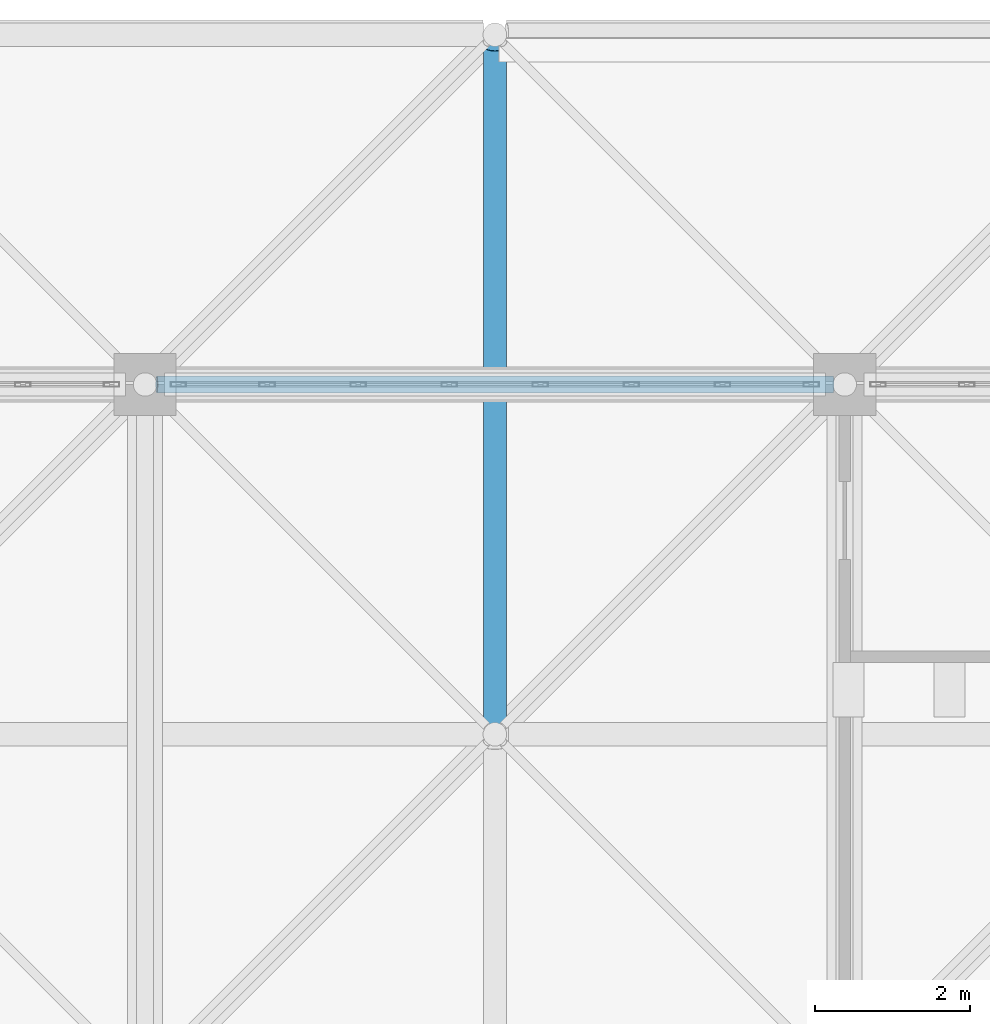
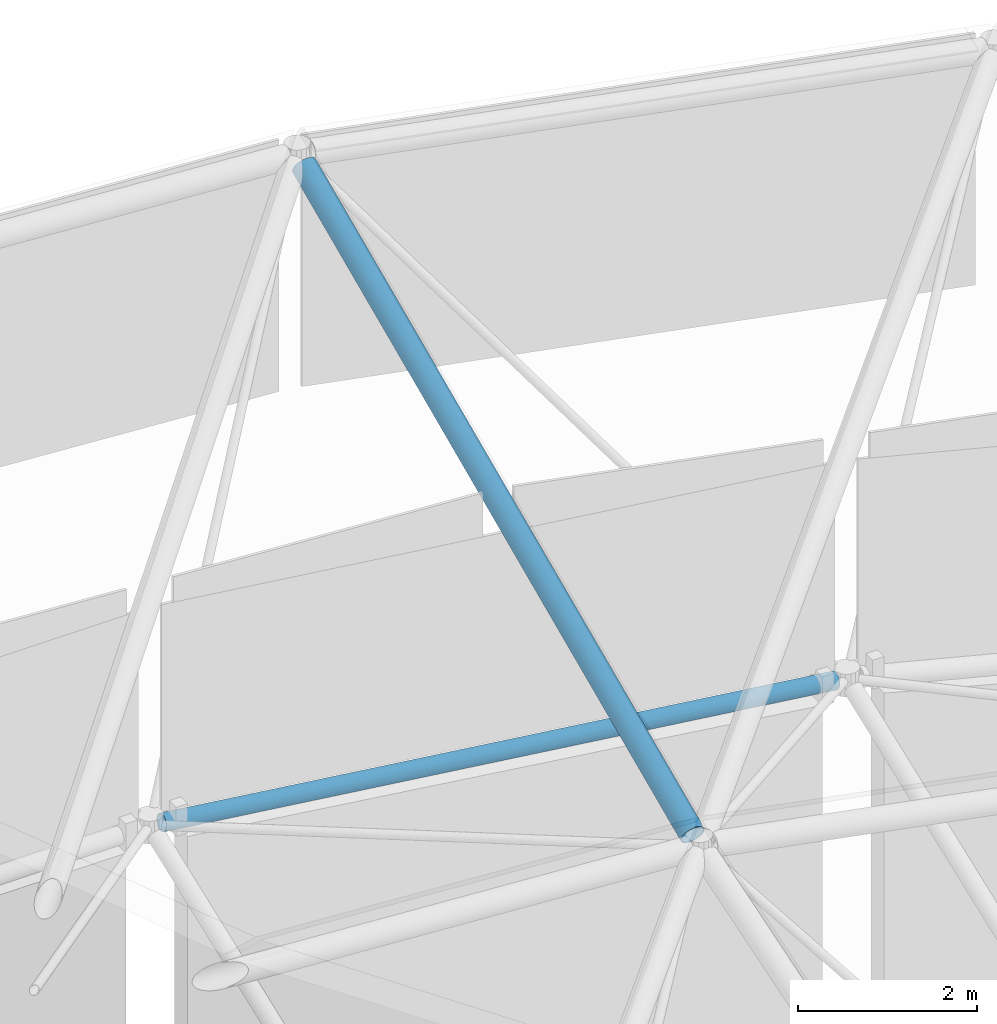
# One storey, part 130 of 437: 2 members.
"""IFC4 building model written with IfcOpenShell, lengths in metres."""

from ifc_helpers import new_model, si_unit, direction, frame, origin, origin_2d, place, context, subcontext, project, spatial, hollow_circle, extrude, material, material_profile, profile_set, type_object, element, save


model = new_model("IFC4")

# Units and contexts
model_context = context("Model", 3, precision=1e-05, world=origin(), true_north=direction((0.0, 1.0)))
body_context = subcontext(model_context, "Body", "Model", "MODEL_VIEW")
ifc_project = project(units=[si_unit("LENGTHUNIT", "METRE"), si_unit("AREAUNIT", "SQUARE_METRE"), si_unit("VOLUMEUNIT", "CUBIC_METRE"), si_unit("PLANEANGLEUNIT", "RADIAN"), si_unit("MASSUNIT", "GRAM", prefix="KILO")], contexts=[model_context])

# Site, building, storey
site_placement = place(None, origin())
site = spatial("IfcSite", under=ifc_project, at=site_placement, CompositionType="ELEMENT")
building_placement = place(site_placement, origin())
building = spatial("IfcBuilding", under=site, at=building_placement, Name="Opaline Strait Convention Centre", CompositionType="ELEMENT")
storey_placement = place(building_placement, frame((0.0, 0.0, 11.5)))
storey = spatial("IfcBuildingStorey", under=building, at=storey_placement, Name="L02", CompositionType="ELEMENT", Elevation=11.5)

# Members
ifc_material = material(Name="Steel Q355B", Category="steel")
ifc_material_profile_1 = material_profile(ifc_material, hollow_circle(Radius=0.109619140625, WallThickness=0.008056640625, at=origin_2d()), Name="CHS 219x8")
ifc_profile_set_1 = profile_set([ifc_material_profile_1], Name="Steel Q355B")
member_type_1 = type_object("IfcMemberType", Name="Shell truss bottom chord CHS 219x8", PredefinedType="CHORD", material=ifc_profile_set_1)
member_1_placement = place(storey_placement, frame((45.14990234375, 180.0, 17.533203125), z_axis=(0.992030967972, 0.0, -0.125994279971), x_axis=(0.0, 1.0, 0.0)))
element("IfcMember", 1, at=member_1_placement, inside=storey, type_object=member_type_1, Name="PBC3 bottom chord X5-8", PredefinedType="CHORD", context=body_context, shape_type="SweptSolid", body=[
    extrude(hollow_circle(Radius=0.109619140625, WallThickness=0.008056640625, at=origin_2d()), origin(), (0.0, 0.0, 1.0), 8.77001953125),
])
ifc_material_profile_2 = material_profile(ifc_material, hollow_circle(Radius=0.1494140625, WallThickness=0.010009765625, at=origin_2d()), Name="CHS 299x10")
ifc_profile_set_2 = profile_set([ifc_material_profile_2], Name="Steel Q355B")
member_type_2 = type_object("IfcMemberType", Name="Shell truss top chord CHS 299x10", PredefinedType="CHORD", material=ifc_profile_set_2)
member_2_placement = place(storey_placement, frame((49.5, 175.64990234375, 18.483154296875), z_axis=(0.0, 0.913813663494, 0.406133707555), x_axis=(-1.0, 0.0, 0.0)))
element("IfcMember", 2, at=member_2_placement, inside=storey, type_object=member_type_2, Name="PTC2 top chord Y6-8", PredefinedType="CHORD", context=body_context, shape_type="SweptSolid", body=[
    extrude(hollow_circle(Radius=0.1494140625, WallThickness=0.010009765625, at=origin_2d()), origin(), (0.0, 0.0, 1.0), 9.520751953125),
])

save(model, "model.ifc")
